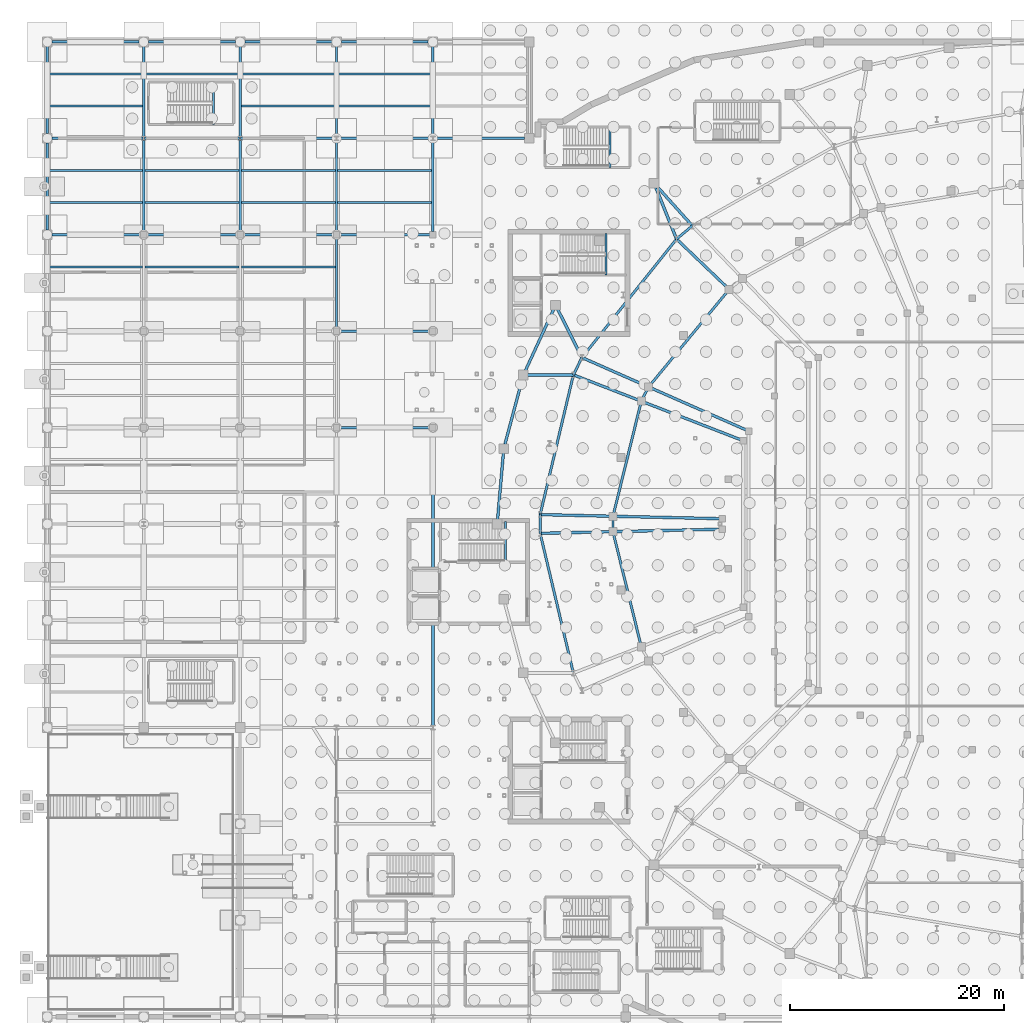
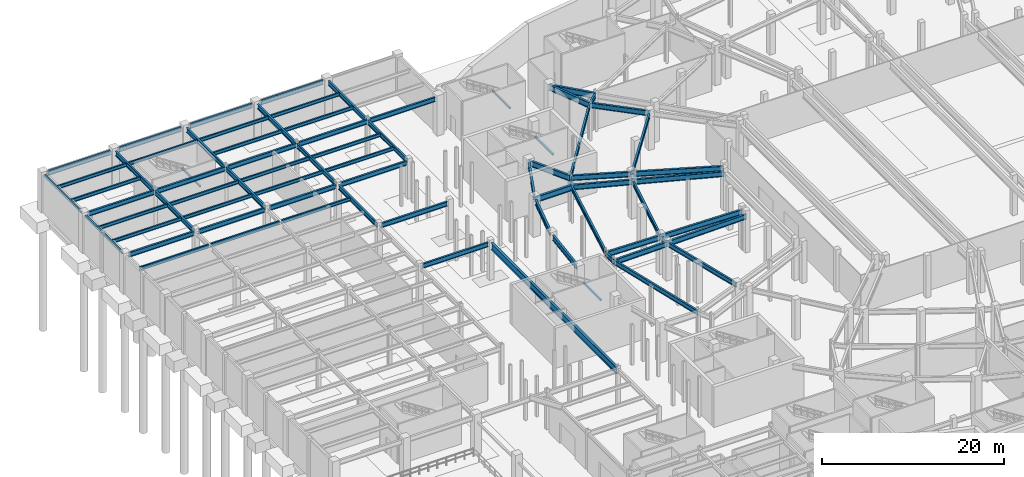
# One storey, part 35 of 56: 76 beams.
"""IFC4 building model written with IfcOpenShell, lengths in metres."""

from ifc_helpers import new_model, si_unit, direction, frame, origin, origin_2d, place, context, subcontext, project, spatial, hollow_rectangle, i_section, extrude, material, material_profile, profile_set, type_object, element, save


model = new_model("IFC4")

# Units and contexts
model_context = context("Model", 3, precision=1e-05, world=origin(), true_north=direction((0.0, 1.0)))
body_context = subcontext(model_context, "Body", "Model", "MODEL_VIEW")
ifc_project = project(units=[si_unit("LENGTHUNIT", "METRE"), si_unit("AREAUNIT", "SQUARE_METRE"), si_unit("VOLUMEUNIT", "CUBIC_METRE"), si_unit("PLANEANGLEUNIT", "RADIAN"), si_unit("MASSUNIT", "GRAM", prefix="KILO")], contexts=[model_context])

# Site, building, storey
site_placement = place(None, origin())
site = spatial("IfcSite", under=ifc_project, at=site_placement, CompositionType="ELEMENT")
building_placement = place(site_placement, origin())
building = spatial("IfcBuilding", under=site, at=building_placement, Name="Glasvene Arena", CompositionType="ELEMENT")
storey_placement = place(building_placement, frame((0.0, 0.0, -5.39990234375)))
storey = spatial("IfcBuildingStorey", under=building, at=storey_placement, Name="B1", CompositionType="ELEMENT", Elevation=-5.39990234375)

# Beams
ifc_material = material(Name="Steel S355J2", Category="steel")
ifc_material_profile_1 = material_profile(ifc_material, i_section(OverallWidth=0.228271484375, OverallDepth=0.607666015625, WebThickness=0.010986328125, FlangeThickness=0.017333984375, FilletRadius=0.0126953125, at=origin_2d()), Name="UKB 610x229x113")
ifc_profile_set_1 = profile_set([ifc_material_profile_1], Name="Steel S355J2")
beam_type_1 = type_object("IfcBeamType", Name="BM-GIRD-610", PredefinedType="BEAM", material=ifc_profile_set_1)
for number, where, z_axis, x_axis, name in (
    (1, (27.294921875, 82.0, 4.736083984375), (1.0, 0.0, 0.0), (0.0, 1.0, 0.0), "Primary X girder B1-0053"),
    (2, (27.294921875, 91.0, 4.736083984375), (1.0, 0.0, 0.0), (0.0, 1.0, 0.0), "Primary X girder B1-0059"),
):
    element("IfcBeam", number, at=place(storey_placement, frame(where, z_axis=z_axis, x_axis=x_axis)), inside=storey, type_object=beam_type_1, Name=name, PredefinedType="BEAM", context=body_context, shape_type="SweptSolid", body=[
        extrude(i_section(OverallWidth=0.228271484375, OverallDepth=0.607666015625, WebThickness=0.010986328125, FlangeThickness=0.017333984375, FilletRadius=0.0126953125, at=origin_2d()), origin(), (0.0, 0.0, 1.0), 8.41015625),
    ])
beam_1_placement = place(storey_placement, frame((0.445068359375, 100.0, 4.736083984375), z_axis=(1.0, 0.0, 0.0), x_axis=(0.0, 1.0, 0.0)))
element("IfcBeam", 3, at=beam_1_placement, inside=storey, type_object=beam_type_1, Name="Primary X girder B1-0062", PredefinedType="BEAM", context=body_context, shape_type="SweptSolid", body=[
    extrude(i_section(OverallWidth=0.228271484375, OverallDepth=0.607666015625, WebThickness=0.010986328125, FlangeThickness=0.017333984375, FilletRadius=0.0126953125, at=origin_2d()), origin(), (0.0, 0.0, 1.0), 8.260009765625),
])
for number, where, z_axis, x_axis, name in (
    (4, (9.294921875, 100.0, 4.736083984375), (1.0, 0.0, 0.0), (0.0, 1.0, 0.0), "Primary X girder B1-0063"),
    (5, (18.294921875, 100.0, 4.736083984375), (1.0, 0.0, 0.0), (0.0, 1.0, 0.0), "Primary X girder B1-0064"),
    (6, (27.294921875, 100.0, 4.736083984375), (1.0, 0.0, 0.0), (0.0, 1.0, 0.0), "Primary X girder B1-0065"),
):
    element("IfcBeam", number, at=place(storey_placement, frame(where, z_axis=z_axis, x_axis=x_axis)), inside=storey, type_object=beam_type_1, Name=name, PredefinedType="BEAM", context=body_context, shape_type="SweptSolid", body=[
        extrude(i_section(OverallWidth=0.228271484375, OverallDepth=0.607666015625, WebThickness=0.010986328125, FlangeThickness=0.017333984375, FilletRadius=0.0126953125, at=origin_2d()), origin(), (0.0, 0.0, 1.0), 8.41015625),
    ])
beam_2_placement = place(storey_placement, frame((0.445068359375, 109.0, 4.736083984375), z_axis=(1.0, 0.0, 0.0), x_axis=(0.0, 1.0, 0.0)))
element("IfcBeam", 7, at=beam_2_placement, inside=storey, type_object=beam_type_1, Name="Primary X girder B1-0068", PredefinedType="BEAM", context=body_context, shape_type="SweptSolid", body=[
    extrude(i_section(OverallWidth=0.228271484375, OverallDepth=0.607666015625, WebThickness=0.010986328125, FlangeThickness=0.017333984375, FilletRadius=0.0126953125, at=origin_2d()), origin(), (0.0, 0.0, 1.0), 8.5048828125),
])
for number, where, z_axis, x_axis, name in (
    (8, (9.050048828125, 109.0, 4.736083984375), (1.0, 0.0, 0.0), (0.0, 1.0, 0.0), "Primary X girder B1-0069"),
    (9, (18.050048828125, 109.0, 4.736083984375), (1.0, 0.0, 0.0), (0.0, 1.0, 0.0), "Primary X girder B1-0070"),
    (10, (27.050048828125, 109.0, 4.736083984375), (1.0, 0.0, 0.0), (0.0, 1.0, 0.0), "Primary X girder B1-0071"),
):
    element("IfcBeam", number, at=place(storey_placement, frame(where, z_axis=z_axis, x_axis=x_axis)), inside=storey, type_object=beam_type_1, Name=name, PredefinedType="BEAM", context=body_context, shape_type="SweptSolid", body=[
        extrude(i_section(OverallWidth=0.228271484375, OverallDepth=0.607666015625, WebThickness=0.010986328125, FlangeThickness=0.017333984375, FilletRadius=0.0126953125, at=origin_2d()), origin(), (0.0, 0.0, 1.0), 8.89990234375),
    ])
beam_3_placement = place(storey_placement, frame((36.050048828125, 109.0, 4.736083984375), z_axis=(1.0, 0.0, 0.0), x_axis=(0.0, 1.0, 0.0)))
element("IfcBeam", 11, at=beam_3_placement, inside=storey, type_object=beam_type_1, Name="Primary X girder B1-0072", PredefinedType="BEAM", context=body_context, shape_type="SweptSolid", body=[
    extrude(i_section(OverallWidth=0.228271484375, OverallDepth=0.607666015625, WebThickness=0.010986328125, FlangeThickness=0.017333984375, FilletRadius=0.0126953125, at=origin_2d()), origin(), (0.0, 0.0, 1.0), 8.5048828125),
])
for number, where, z_axis, x_axis, name in (
    (12, (0.445068359375, 118.0, 4.736083984375), (1.0, 0.0, 0.0), (0.0, 1.0, 0.0), "Primary X girder B1-0076"),
    (13, (9.445068359375, 118.0, 4.736083984375), (1.0, 0.0, 0.0), (0.0, 1.0, 0.0), "Primary X girder B1-0077"),
    (14, (18.445068359375, 118.0, 4.736083984375), (1.0, 0.0, 0.0), (0.0, 1.0, 0.0), "Primary X girder B1-0078"),
    (15, (27.445068359375, 118.0, 4.736083984375), (1.0, 0.0, 0.0), (0.0, 1.0, 0.0), "Primary X girder B1-0079"),
):
    element("IfcBeam", number, at=place(storey_placement, frame(where, z_axis=z_axis, x_axis=x_axis)), inside=storey, type_object=beam_type_1, Name=name, PredefinedType="BEAM", context=body_context, shape_type="SweptSolid", body=[
        extrude(i_section(OverallWidth=0.228271484375, OverallDepth=0.607666015625, WebThickness=0.010986328125, FlangeThickness=0.017333984375, FilletRadius=0.0126953125, at=origin_2d()), origin(), (0.0, 0.0, 1.0), 8.10986328125),
    ])
beam_4_placement = place(storey_placement, frame((9.0, 100.294921875, 4.736083984375), z_axis=(0.0, 1.0, 0.0), x_axis=(-1.0, 0.0, 0.0)))
element("IfcBeam", 16, at=beam_4_placement, inside=storey, type_object=beam_type_1, Name="Primary Y girder B1-0103", PredefinedType="BEAM", context=body_context, shape_type="SweptSolid", body=[
    extrude(i_section(OverallWidth=0.228271484375, OverallDepth=0.607666015625, WebThickness=0.010986328125, FlangeThickness=0.017333984375, FilletRadius=0.0126953125, at=origin_2d()), origin(), (0.0, 0.0, 1.0), 8.51953125),
])
beam_5_placement = place(storey_placement, frame((9.0, 109.185546875, 4.736083984375), z_axis=(0.0, 1.0, 0.0), x_axis=(-1.0, 0.0, 0.0)))
element("IfcBeam", 17, at=beam_5_placement, inside=storey, type_object=beam_type_1, Name="Primary Y girder B1-0104", PredefinedType="BEAM", context=body_context, shape_type="SweptSolid", body=[
    extrude(i_section(OverallWidth=0.228271484375, OverallDepth=0.607666015625, WebThickness=0.010986328125, FlangeThickness=0.017333984375, FilletRadius=0.0126953125, at=origin_2d()), origin(), (0.0, 0.0, 1.0), 8.369384765625),
])
beam_6_placement = place(storey_placement, frame((18.0, 100.294921875, 4.736083984375), z_axis=(0.0, 1.0, 0.0), x_axis=(-1.0, 0.0, 0.0)))
element("IfcBeam", 18, at=beam_6_placement, inside=storey, type_object=beam_type_1, Name="Primary Y girder B1-0113", PredefinedType="BEAM", context=body_context, shape_type="SweptSolid", body=[
    extrude(i_section(OverallWidth=0.228271484375, OverallDepth=0.607666015625, WebThickness=0.010986328125, FlangeThickness=0.017333984375, FilletRadius=0.0126953125, at=origin_2d()), origin(), (0.0, 0.0, 1.0), 8.51953125),
])
beam_7_placement = place(storey_placement, frame((18.0, 109.185546875, 4.736083984375), z_axis=(0.0, 1.0, 0.0), x_axis=(-1.0, 0.0, 0.0)))
element("IfcBeam", 19, at=beam_7_placement, inside=storey, type_object=beam_type_1, Name="Primary Y girder B1-0114", PredefinedType="BEAM", context=body_context, shape_type="SweptSolid", body=[
    extrude(i_section(OverallWidth=0.228271484375, OverallDepth=0.607666015625, WebThickness=0.010986328125, FlangeThickness=0.017333984375, FilletRadius=0.0126953125, at=origin_2d()), origin(), (0.0, 0.0, 1.0), 8.369384765625),
])
beam_8_placement = place(storey_placement, frame((27.0, 91.294921875, 4.736083984375), z_axis=(0.0, 1.0, 0.0), x_axis=(-1.0, 0.0, 0.0)))
element("IfcBeam", 20, at=beam_8_placement, inside=storey, type_object=beam_type_1, Name="Primary Y girder B1-0124", PredefinedType="BEAM", context=body_context, shape_type="SweptSolid", body=[
    extrude(i_section(OverallWidth=0.228271484375, OverallDepth=0.607666015625, WebThickness=0.010986328125, FlangeThickness=0.017333984375, FilletRadius=0.0126953125, at=origin_2d()), origin(), (0.0, 0.0, 1.0), 8.41015625),
])
beam_9_placement = place(storey_placement, frame((27.0, 100.294921875, 4.736083984375), z_axis=(0.0, 1.0, 0.0), x_axis=(-1.0, 0.0, 0.0)))
element("IfcBeam", 21, at=beam_9_placement, inside=storey, type_object=beam_type_1, Name="Primary Y girder B1-0125", PredefinedType="BEAM", context=body_context, shape_type="SweptSolid", body=[
    extrude(i_section(OverallWidth=0.228271484375, OverallDepth=0.607666015625, WebThickness=0.010986328125, FlangeThickness=0.017333984375, FilletRadius=0.0126953125, at=origin_2d()), origin(), (0.0, 0.0, 1.0), 8.51953125),
])
beam_10_placement = place(storey_placement, frame((27.0, 109.185546875, 4.736083984375), z_axis=(0.0, 1.0, 0.0), x_axis=(-1.0, 0.0, 0.0)))
element("IfcBeam", 22, at=beam_10_placement, inside=storey, type_object=beam_type_1, Name="Primary Y girder B1-0126", PredefinedType="BEAM", context=body_context, shape_type="SweptSolid", body=[
    extrude(i_section(OverallWidth=0.228271484375, OverallDepth=0.607666015625, WebThickness=0.010986328125, FlangeThickness=0.017333984375, FilletRadius=0.0126953125, at=origin_2d()), origin(), (0.0, 0.0, 1.0), 8.369384765625),
])
beam_11_placement = place(storey_placement, frame((36.0, 100.294921875, 4.736083984375), z_axis=(0.0, 1.0, 0.0), x_axis=(-1.0, 0.0, 0.0)))
element("IfcBeam", 23, at=beam_11_placement, inside=storey, type_object=beam_type_1, Name="Primary Y girder B1-0133", PredefinedType="BEAM", context=body_context, shape_type="SweptSolid", body=[
    extrude(i_section(OverallWidth=0.228271484375, OverallDepth=0.607666015625, WebThickness=0.010986328125, FlangeThickness=0.017333984375, FilletRadius=0.0126953125, at=origin_2d()), origin(), (0.0, 0.0, 1.0), 8.51953125),
])
beam_12_placement = place(storey_placement, frame((36.0, 109.185546875, 4.736083984375), z_axis=(0.0, 1.0, 0.0), x_axis=(-1.0, 0.0, 0.0)))
element("IfcBeam", 24, at=beam_12_placement, inside=storey, type_object=beam_type_1, Name="Primary Y girder B1-0134", PredefinedType="BEAM", context=body_context, shape_type="SweptSolid", body=[
    extrude(i_section(OverallWidth=0.228271484375, OverallDepth=0.607666015625, WebThickness=0.010986328125, FlangeThickness=0.017333984375, FilletRadius=0.0126953125, at=origin_2d()), origin(), (0.0, 0.0, 1.0), 8.369384765625),
])
beam_13_placement = place(storey_placement, frame((60.219482421875, 100.834228515625, 4.73486328125), z_axis=(-0.766930434436, -0.641730246082, 0.0), x_axis=(0.641730246082, -0.766930434436, 0.0)))
element("IfcBeam", 25, at=beam_13_placement, inside=storey, type_object=beam_type_1, Name="Concourse inner ring girder B1-12", PredefinedType="BEAM", context=body_context, shape_type="SweptSolid", body=[
    extrude(i_section(OverallWidth=0.228271484375, OverallDepth=0.607666015625, WebThickness=0.010986328125, FlangeThickness=0.017333984375, FilletRadius=0.0126953125, at=origin_2d()), origin(), (0.0, 0.0, 1.0), 1.924560546875),
])
beam_14_placement = place(storey_placement, frame((58.743408203125, 99.59912109375, 4.73486328125), z_axis=(-0.623899670594, -0.781504447226, 0.0), x_axis=(0.781504447226, -0.623899670594, 0.0)))
element("IfcBeam", 26, at=beam_14_placement, inside=storey, type_object=beam_type_1, Name="Concourse inner ring girder B1-13", PredefinedType="BEAM", context=body_context, shape_type="SweptSolid", body=[
    extrude(i_section(OverallWidth=0.228271484375, OverallDepth=0.607666015625, WebThickness=0.010986328125, FlangeThickness=0.017333984375, FilletRadius=0.0126953125, at=origin_2d()), origin(), (0.0, 0.0, 1.0), 14.1552734375),
])
beam_15_placement = place(storey_placement, frame((63.65966796875, 94.90087890625, 4.73486328125), z_axis=(-0.636971685607, -0.770887197802, 0.0), x_axis=(0.770887197802, -0.636971685607, 0.0)))
element("IfcBeam", 27, at=beam_15_placement, inside=storey, type_object=beam_type_1, Name="Mid-bowl ring girder B1-13", PredefinedType="BEAM", context=body_context, shape_type="SweptSolid", body=[
    extrude(i_section(OverallWidth=0.228271484375, OverallDepth=0.607666015625, WebThickness=0.010986328125, FlangeThickness=0.017333984375, FilletRadius=0.0126953125, at=origin_2d()), origin(), (0.0, 0.0, 1.0), 11.8154296875),
])
beam_16_placement = place(storey_placement, frame((49.911865234375, 88.53662109375, 4.73486328125), z_axis=(-0.443576698242, -0.896236415672, 0.0), x_axis=(0.896236415672, -0.443576698242, 0.0)))
element("IfcBeam", 28, at=beam_16_placement, inside=storey, type_object=beam_type_1, Name="Concourse inner ring girder B1-14", PredefinedType="BEAM", context=body_context, shape_type="SweptSolid", body=[
    extrude(i_section(OverallWidth=0.228271484375, OverallDepth=0.607666015625, WebThickness=0.010986328125, FlangeThickness=0.017333984375, FilletRadius=0.0126953125, at=origin_2d()), origin(), (0.0, 0.0, 1.0), 1.80078125),
])
beam_17_placement = place(storey_placement, frame((56.133544921875, 85.79248046875, 4.73486328125), z_axis=(-0.455825325707, -0.890069251488, 0.0), x_axis=(0.890069251488, -0.455825325707, 0.0)))
element("IfcBeam", 29, at=beam_17_placement, inside=storey, type_object=beam_type_1, Name="Mid-bowl ring girder B1-14", PredefinedType="BEAM", context=body_context, shape_type="SweptSolid", body=[
    extrude(i_section(OverallWidth=0.228271484375, OverallDepth=0.607666015625, WebThickness=0.010986328125, FlangeThickness=0.017333984375, FilletRadius=0.0126953125, at=origin_2d()), origin(), (0.0, 0.0, 1.0), 1.4931640625),
])
beam_18_placement = place(storey_placement, frame((49.113037109375, 86.922607421875, 4.73486328125), z_axis=(-0.23122513322, -0.972900271234, 0.0), x_axis=(0.972900271234, -0.23122513322, 0.0)))
element("IfcBeam", 30, at=beam_18_placement, inside=storey, type_object=beam_type_1, Name="Concourse inner ring girder B1-15", PredefinedType="BEAM", context=body_context, shape_type="SweptSolid", body=[
    extrude(i_section(OverallWidth=0.228271484375, OverallDepth=0.607666015625, WebThickness=0.010986328125, FlangeThickness=0.017333984375, FilletRadius=0.0126953125, at=origin_2d()), origin(), (0.0, 0.0, 1.0), 13.41259765625),
])
beam_19_placement = place(storey_placement, frame((55.452880859375, 84.46337890625, 4.73486328125), z_axis=(-0.23885804662, -0.971054495672, 0.0), x_axis=(0.971054495672, -0.23885804662, 0.0)))
element("IfcBeam", 31, at=beam_19_placement, inside=storey, type_object=beam_type_1, Name="Mid-bowl ring girder B1-15", PredefinedType="BEAM", context=body_context, shape_type="SweptSolid", body=[
    extrude(i_section(OverallWidth=0.228271484375, OverallDepth=0.607666015625, WebThickness=0.010986328125, FlangeThickness=0.017333984375, FilletRadius=0.0126953125, at=origin_2d()), origin(), (0.0, 0.0, 1.0), 11.064453125),
])
beam_20_placement = place(storey_placement, frame((46.01171875, 73.87353515625, 4.73486328125), z_axis=(0.0, -1.0, 0.0), x_axis=(1.0, 0.0, 0.0)))
element("IfcBeam", 32, at=beam_20_placement, inside=storey, type_object=beam_type_1, Name="Concourse inner ring girder B1-16", PredefinedType="BEAM", context=body_context, shape_type="SweptSolid", body=[
    extrude(i_section(OverallWidth=0.228271484375, OverallDepth=0.607666015625, WebThickness=0.010986328125, FlangeThickness=0.017333984375, FilletRadius=0.0126953125, at=origin_2d()), origin(), (0.0, 0.0, 1.0), 1.7470703125),
])
beam_21_placement = place(storey_placement, frame((52.81005859375, 73.71923828125, 4.73486328125), z_axis=(0.0, -1.0, 0.0), x_axis=(1.0, 0.0, 0.0)))
element("IfcBeam", 33, at=beam_21_placement, inside=storey, type_object=beam_type_1, Name="Mid-bowl ring girder B1-16", PredefinedType="BEAM", context=body_context, shape_type="SweptSolid", body=[
    extrude(i_section(OverallWidth=0.228271484375, OverallDepth=0.607666015625, WebThickness=0.010986328125, FlangeThickness=0.017333984375, FilletRadius=0.0126953125, at=origin_2d()), origin(), (0.0, 0.0, 1.0), 1.4384765625),
])
beam_22_placement = place(storey_placement, frame((46.01171875, 72.12646484375, 4.73486328125), z_axis=(0.23122513322, -0.972900271234, 0.0), x_axis=(0.972900271234, 0.23122513322, 0.0)))
element("IfcBeam", 34, at=beam_22_placement, inside=storey, type_object=beam_type_1, Name="Concourse inner ring girder B1-17", PredefinedType="BEAM", context=body_context, shape_type="SweptSolid", body=[
    extrude(i_section(OverallWidth=0.228271484375, OverallDepth=0.607666015625, WebThickness=0.010986328125, FlangeThickness=0.017333984375, FilletRadius=0.0126953125, at=origin_2d()), origin(), (0.0, 0.0, 1.0), 13.41259765625),
])
beam_23_placement = place(storey_placement, frame((52.81005859375, 72.28076171875, 4.73486328125), z_axis=(0.23885804662, -0.971054495672, 0.0), x_axis=(0.971054495672, 0.23885804662, 0.0)))
element("IfcBeam", 35, at=beam_23_placement, inside=storey, type_object=beam_type_1, Name="Mid-bowl ring girder B1-17", PredefinedType="BEAM", context=body_context, shape_type="SweptSolid", body=[
    extrude(i_section(OverallWidth=0.228271484375, OverallDepth=0.607666015625, WebThickness=0.010986328125, FlangeThickness=0.017333984375, FilletRadius=0.0126953125, at=origin_2d()), origin(), (0.0, 0.0, 1.0), 11.064453125),
])
ifc_material_profile_2 = material_profile(ifc_material, i_section(OverallWidth=0.253662109375, OverallDepth=0.68359375, WebThickness=0.012451171875, FlangeThickness=0.01904296875, FilletRadius=0.01513671875, at=origin_2d()), Name="UKB 686x254x140")
ifc_profile_set_2 = profile_set([ifc_material_profile_2], Name="Steel S355J2")
beam_type_2 = type_object("IfcBeamType", Name="BM-GIRD-686", PredefinedType="BEAM", material=ifc_profile_set_2)
beam_24_placement = place(storey_placement, frame((47.274169921875, 93.048095703125, 4.6982421875), z_axis=(-0.418091163951, -0.908405074087, 0.0), x_axis=(0.908405074087, -0.418091163951, 0.0)))
element("IfcBeam", 36, at=beam_24_placement, inside=storey, type_object=beam_type_2, Name="Bowl ring chord beam B1-18", PredefinedType="BEAM", context=body_context, shape_type="SweptSolid", body=[
    extrude(i_section(OverallWidth=0.253662109375, OverallDepth=0.68359375, WebThickness=0.012451171875, FlangeThickness=0.01904296875, FilletRadius=0.01513671875, at=origin_2d()), origin(), (0.0, 0.0, 1.0), 6.341552734375),
])
beam_25_placement = place(storey_placement, frame((44.3388671875, 86.5, 4.6982421875), z_axis=(-0.257723273136, -0.966218771544, 0.0), x_axis=(0.966218771544, -0.257723273136, 0.0)))
element("IfcBeam", 37, at=beam_25_placement, inside=storey, type_object=beam_type_2, Name="Bowl ring chord beam B1-19", PredefinedType="BEAM", context=body_context, shape_type="SweptSolid", body=[
    extrude(i_section(OverallWidth=0.253662109375, OverallDepth=0.68359375, WebThickness=0.012451171875, FlangeThickness=0.01904296875, FilletRadius=0.01513671875, at=origin_2d()), origin(), (0.0, 0.0, 1.0), 6.266357421875),
])
beam_26_placement = place(storey_placement, frame((42.5791015625, 79.62109375, 4.6982421875), z_axis=(-0.087127064211, -0.996197206723, 0.0), x_axis=(0.996197206723, -0.087127064211, 0.0)))
element("IfcBeam", 38, at=beam_26_placement, inside=storey, type_object=beam_type_2, Name="Bowl ring chord beam B1-20", PredefinedType="BEAM", context=body_context, shape_type="SweptSolid", body=[
    extrude(i_section(OverallWidth=0.253662109375, OverallDepth=0.68359375, WebThickness=0.012451171875, FlangeThickness=0.01904296875, FilletRadius=0.01513671875, at=origin_2d()), origin(), (0.0, 0.0, 1.0), 6.226318359375),
])
beam_27_placement = place(storey_placement, frame((63.65966796875, 94.90087890625, 4.697998046875), z_axis=(-0.722955223934, 0.690894886496, 0.0), x_axis=(-0.690894886496, -0.722955223934, 0.0)))
element("IfcBeam", 39, at=beam_27_placement, inside=storey, type_object=beam_type_2, Name="Mid-to-rear radial girder B1-13", PredefinedType="BEAM", context=body_context, shape_type="SweptSolid", body=[
    extrude(i_section(OverallWidth=0.253662109375, OverallDepth=0.68359375, WebThickness=0.012451171875, FlangeThickness=0.01904296875, FilletRadius=0.01513671875, at=origin_2d()), origin(), (0.0, 0.0, 1.0), 6.80029296875),
])
for number, where, z_axis, x_axis, name in (
    (40, (56.133544921875, 85.79248046875, 4.697998046875), (-0.914956794247, 0.40355181162, 0.0), (-0.40355181162, -0.914956794247, 0.0), "Mid-to-rear radial girder B1-14"),
    (41, (55.452880859375, 84.46337890625, 4.697998046875), (-0.932315610983, 0.361645685052, 0.0), (-0.361645685052, -0.932315610983, 0.0), "Mid-to-rear radial girder B1-15"),
    (42, (52.81005859375, 73.71923828125, 4.697998046875), (-0.9997425394, 0.022690414598, 0.0), (-0.022690414598, -0.9997425394, 0.0), "Mid-to-rear radial girder B1-16"),
    (43, (52.81005859375, 72.28076171875, 4.697998046875), (-0.9997425394, -0.022690414598, 0.0), (0.022690414598, -0.9997425394, 0.0), "Mid-to-rear radial girder B1-17"),
):
    element("IfcBeam", number, at=place(storey_placement, frame(where, z_axis=z_axis, x_axis=x_axis)), inside=storey, type_object=beam_type_2, Name=name, PredefinedType="BEAM", context=body_context, shape_type="SweptSolid", body=[
        extrude(i_section(OverallWidth=0.253662109375, OverallDepth=0.68359375, WebThickness=0.012451171875, FlangeThickness=0.01904296875, FilletRadius=0.01513671875, at=origin_2d()), origin(), (0.0, 0.0, 1.0), 6.800048828125),
    ])
beam_28_placement = place(storey_placement, frame((65.46630859375, 81.67626953125, 4.697998046875), z_axis=(-0.914960692105, 0.403542974047, 0.0), x_axis=(-0.403542974047, -0.914960692105, 0.0)))
element("IfcBeam", 44, at=beam_28_placement, inside=storey, type_object=beam_type_2, Name="Pitch-to-mid basement girder 14", PredefinedType="BEAM", context=body_context, shape_type="SweptSolid", body=[
    extrude(i_section(OverallWidth=0.253662109375, OverallDepth=0.68359375, WebThickness=0.012451171875, FlangeThickness=0.01904296875, FilletRadius=0.01513671875, at=origin_2d()), origin(), (0.0, 0.0, 1.0), 10.2001953125),
])
beam_29_placement = place(storey_placement, frame((64.962646484375, 80.77490234375, 4.697998046875), z_axis=(-0.932327715783, 0.361614477563, 0.0), x_axis=(-0.361614477563, -0.932327715783, 0.0)))
element("IfcBeam", 45, at=beam_29_placement, inside=storey, type_object=beam_type_2, Name="Pitch-to-mid basement girder 15", PredefinedType="BEAM", context=body_context, shape_type="SweptSolid", body=[
    extrude(i_section(OverallWidth=0.253662109375, OverallDepth=0.68359375, WebThickness=0.012451171875, FlangeThickness=0.01904296875, FilletRadius=0.01513671875, at=origin_2d()), origin(), (0.0, 0.0, 1.0), 10.199951171875),
])
for number, where, z_axis, x_axis, name in (
    (46, (63.007568359375, 73.48779296875, 4.697998046875), (-0.9997425394, 0.022690414598, 0.0), (-0.022690414598, -0.9997425394, 0.0), "Pitch-to-mid basement girder 16"),
    (47, (63.007568359375, 72.51220703125, 4.697998046875), (-0.9997425394, -0.022690414598, 0.0), (0.022690414598, -0.9997425394, 0.0), "Pitch-to-mid basement girder 17"),
):
    element("IfcBeam", number, at=place(storey_placement, frame(where, z_axis=z_axis, x_axis=x_axis)), inside=storey, type_object=beam_type_2, Name=name, PredefinedType="BEAM", context=body_context, shape_type="SweptSolid", body=[
        extrude(i_section(OverallWidth=0.253662109375, OverallDepth=0.68359375, WebThickness=0.012451171875, FlangeThickness=0.01904296875, FilletRadius=0.01513671875, at=origin_2d()), origin(), (0.0, 0.0, 1.0), 10.2001953125),
    ])
ifc_material_profile_3 = material_profile(ifc_material, i_section(OverallWidth=0.2666015625, OverallDepth=0.76220703125, WebThickness=0.014404296875, FlangeThickness=0.021484375, FilletRadius=0.0166015625, at=origin_2d()), Name="UKB 762x267x173")
ifc_profile_set_3 = profile_set([ifc_material_profile_3], Name="Steel S355J2")
beam_type_3 = type_object("IfcBeamType", Name="BM-GIRD-762", PredefinedType="BEAM", material=ifc_profile_set_3)
beam_30_placement = place(storey_placement, frame((60.219482421875, 100.834228515625, 4.65869140625), z_axis=(-0.667691455448, 0.744438123904, 0.0), x_axis=(-0.744438123904, -0.667691455448, 0.0)))
element("IfcBeam", 48, at=beam_30_placement, inside=storey, type_object=beam_type_3, Name="Radial concourse girder B1-12", PredefinedType="BEAM", context=body_context, shape_type="SweptSolid", body=[
    extrude(i_section(OverallWidth=0.2666015625, OverallDepth=0.76220703125, WebThickness=0.014404296875, FlangeThickness=0.021484375, FilletRadius=0.0166015625, at=origin_2d()), origin(), (0.0, 0.0, 1.0), 5.353759765625),
])
beam_31_placement = place(storey_placement, frame((58.743408203125, 99.59912109375, 4.65869140625), z_axis=(-0.372976095384, 0.927840952034, 0.0), x_axis=(-0.927840952034, -0.372976095384, 0.0)))
element("IfcBeam", 49, at=beam_31_placement, inside=storey, type_object=beam_type_3, Name="Radial concourse girder B1-13", PredefinedType="BEAM", context=body_context, shape_type="SweptSolid", body=[
    extrude(i_section(OverallWidth=0.2666015625, OverallDepth=0.76220703125, WebThickness=0.014404296875, FlangeThickness=0.021484375, FilletRadius=0.0166015625, at=origin_2d()), origin(), (0.0, 0.0, 1.0), 5.626708984375),
])
beam_32_placement = place(storey_placement, frame((49.911865234375, 88.53662109375, 4.65869140625), z_axis=(-0.449494152887, 0.893283273391, 0.0), x_axis=(-0.893283273391, -0.449494152887, 0.0)))
element("IfcBeam", 50, at=beam_32_placement, inside=storey, type_object=beam_type_3, Name="Radial concourse girder B1-14", PredefinedType="BEAM", context=body_context, shape_type="SweptSolid", body=[
    extrude(i_section(OverallWidth=0.2666015625, OverallDepth=0.76220703125, WebThickness=0.014404296875, FlangeThickness=0.021484375, FilletRadius=0.0166015625, at=origin_2d()), origin(), (0.0, 0.0, 1.0), 5.4775390625),
])
beam_33_placement = place(storey_placement, frame((49.113037109375, 86.922607421875, 4.65869140625), z_axis=(-0.999993482259, -0.003610462575, 0.0), x_axis=(0.003610462575, -0.999993482259, 0.0)))
element("IfcBeam", 51, at=beam_33_placement, inside=storey, type_object=beam_type_3, Name="Radial concourse girder B1-15", PredefinedType="BEAM", context=body_context, shape_type="SweptSolid", body=[
    extrude(i_section(OverallWidth=0.2666015625, OverallDepth=0.76220703125, WebThickness=0.014404296875, FlangeThickness=0.021484375, FilletRadius=0.0166015625, at=origin_2d()), origin(), (0.0, 0.0, 1.0), 4.665771484375),
])
ifc_material_profile_4 = material_profile(ifc_material, i_section(OverallWidth=0.30419921875, OverallDepth=0.910400390625, WebThickness=0.015869140625, FlangeThickness=0.02392578125, FilletRadius=0.01904296875, at=origin_2d()), Name="UKB 914x305x224")
ifc_profile_set_4 = profile_set([ifc_material_profile_4], Name="Steel S355J2")
beam_type_4 = type_object("IfcBeamType", Name="BM-GIRD-914", PredefinedType="BEAM", material=ifc_profile_set_4)
beam_34_placement = place(storey_placement, frame((36.0, 54.185546875, 4.584716796875), z_axis=(0.0, 1.0, 0.0), x_axis=(-1.0, 0.0, 0.0)))
element("IfcBeam", 52, at=beam_34_placement, inside=storey, type_object=beam_type_4, Name="Primary Y girder B1-0132", PredefinedType="BEAM", context=body_context, shape_type="SweptSolid", body=[
    extrude(i_section(OverallWidth=0.30419921875, OverallDepth=0.910400390625, WebThickness=0.015869140625, FlangeThickness=0.02392578125, FilletRadius=0.01904296875, at=origin_2d()), origin(), (0.0, 0.0, 1.0), 27.51953125),
])
ifc_material_profile_5 = material_profile(ifc_material, i_section(OverallWidth=0.1904296875, OverallDepth=0.45703125, WebThickness=0.009033203125, FlangeThickness=0.014404296875, FilletRadius=0.01025390625, at=origin_2d()), Name="UKB 457x191x74")
ifc_profile_set_5 = profile_set([ifc_material_profile_5], Name="Steel S355J2")
beam_type_5 = type_object("IfcBeamType", Name="BM-JOIST-457", PredefinedType="JOIST", material=ifc_profile_set_5)
for number, where, z_axis, x_axis, name in (
    (53, (0.095947265625, 97.0, 4.8115234375), (1.0, 0.0, 0.0), (0.0, 1.0, 0.0), "Composite floor joist B1-0185"),
    (54, (0.095947265625, 103.0, 4.8115234375), (1.0, 0.0, 0.0), (0.0, 1.0, 0.0), "Composite floor joist B1-0186"),
    (55, (0.095947265625, 106.0, 4.8115234375), (1.0, 0.0, 0.0), (0.0, 1.0, 0.0), "Composite floor joist B1-0187"),
    (56, (0.095947265625, 112.0, 4.8115234375), (1.0, 0.0, 0.0), (0.0, 1.0, 0.0), "Composite floor joist B1-0188"),
    (57, (0.095947265625, 115.0, 4.8115234375), (1.0, 0.0, 0.0), (0.0, 1.0, 0.0), "Composite floor joist B1-0189"),
):
    element("IfcBeam", number, at=place(storey_placement, frame(where, z_axis=z_axis, x_axis=x_axis)), inside=storey, type_object=beam_type_5, Name=name, PredefinedType="JOIST", context=body_context, shape_type="SweptSolid", body=[
        extrude(i_section(OverallWidth=0.1904296875, OverallDepth=0.45703125, WebThickness=0.009033203125, FlangeThickness=0.014404296875, FilletRadius=0.01025390625, at=origin_2d()), origin(), (0.0, 0.0, 1.0), 8.7939453125),
    ])
for number, where, z_axis, x_axis, name in (
    (58, (9.110107421875, 97.0, 4.8115234375), (1.0, 0.0, 0.0), (0.0, 1.0, 0.0), "Composite floor joist B1-0202"),
    (59, (9.110107421875, 103.0, 4.8115234375), (1.0, 0.0, 0.0), (0.0, 1.0, 0.0), "Composite floor joist B1-0203"),
    (60, (9.110107421875, 106.0, 4.8115234375), (1.0, 0.0, 0.0), (0.0, 1.0, 0.0), "Composite floor joist B1-0204"),
    (61, (9.110107421875, 115.0, 4.8115234375), (1.0, 0.0, 0.0), (0.0, 1.0, 0.0), "Composite floor joist B1-0205"),
    (62, (18.110107421875, 97.0, 4.8115234375), (1.0, 0.0, 0.0), (0.0, 1.0, 0.0), "Composite floor joist B1-0219"),
    (63, (18.110107421875, 103.0, 4.8115234375), (1.0, 0.0, 0.0), (0.0, 1.0, 0.0), "Composite floor joist B1-0220"),
    (64, (18.110107421875, 106.0, 4.8115234375), (1.0, 0.0, 0.0), (0.0, 1.0, 0.0), "Composite floor joist B1-0221"),
    (65, (18.110107421875, 112.0, 4.8115234375), (1.0, 0.0, 0.0), (0.0, 1.0, 0.0), "Composite floor joist B1-0222"),
    (66, (18.110107421875, 115.0, 4.8115234375), (1.0, 0.0, 0.0), (0.0, 1.0, 0.0), "Composite floor joist B1-0223"),
    (67, (27.110107421875, 103.0, 4.8115234375), (1.0, 0.0, 0.0), (0.0, 1.0, 0.0), "Composite floor joist B1-0232"),
    (68, (27.110107421875, 106.0, 4.8115234375), (1.0, 0.0, 0.0), (0.0, 1.0, 0.0), "Composite floor joist B1-0233"),
    (69, (27.110107421875, 112.0, 4.8115234375), (1.0, 0.0, 0.0), (0.0, 1.0, 0.0), "Composite floor joist B1-0234"),
    (70, (27.110107421875, 115.0, 4.8115234375), (1.0, 0.0, 0.0), (0.0, 1.0, 0.0), "Composite floor joist B1-0235"),
):
    element("IfcBeam", number, at=place(storey_placement, frame(where, z_axis=z_axis, x_axis=x_axis)), inside=storey, type_object=beam_type_5, Name=name, PredefinedType="JOIST", context=body_context, shape_type="SweptSolid", body=[
        extrude(i_section(OverallWidth=0.1904296875, OverallDepth=0.45703125, WebThickness=0.009033203125, FlangeThickness=0.014404296875, FilletRadius=0.01025390625, at=origin_2d()), origin(), (0.0, 0.0, 1.0), 8.77978515625),
    ])
ifc_material_profile_6 = material_profile(ifc_material, hollow_rectangle(XDim=0.199951171875, YDim=0.199951171875, WallThickness=0.010009765625, at=origin_2d()), Name="SHS 200x200x10.0")
ifc_profile_set_6 = profile_set([ifc_material_profile_6], Name="Steel S355J2")
beam_type_6 = type_object("IfcBeamType", Name="BM-LINTEL-200", PredefinedType="LINTEL", material=ifc_profile_set_6)
beam_35_placement = place(storey_placement, frame((52.169921875, 96.22998046875, 2.3798828125), z_axis=(0.0, 1.0, 0.0), x_axis=(-1.0, 0.0, 0.0)))
element("IfcBeam", 71, at=beam_35_placement, inside=storey, type_object=beam_type_6, Name="Stair half-landing support beam ST-01-B1", PredefinedType="LINTEL", context=body_context, shape_type="SweptSolid", body=[
    extrude(hollow_rectangle(XDim=0.199951171875, YDim=0.199951171875, WallThickness=0.010009765625, at=origin_2d()), origin(), (0.0, 0.0, 1.0), 3.89013671875),
])
for number, where, z_axis, x_axis, name in (
    (72, (42.77001953125, 69.429931640625, 2.3798828125), (0.0, 1.0, 0.0), (-1.0, 0.0, 0.0), "Stair half-landing support beam ST-07-B1"),
    (73, (52.52001953125, 106.280029296875, 2.3798828125), (0.0, 1.0, 0.0), (-1.0, 0.0, 0.0), "Stair half-landing support beam ST-12-B1"),
):
    element("IfcBeam", number, at=place(storey_placement, frame(where, z_axis=z_axis, x_axis=x_axis)), inside=storey, type_object=beam_type_6, Name=name, PredefinedType="LINTEL", context=body_context, shape_type="SweptSolid", body=[
        extrude(hollow_rectangle(XDim=0.199951171875, YDim=0.199951171875, WallThickness=0.010009765625, at=origin_2d()), origin(), (0.0, 0.0, 1.0), 3.7900390625),
    ])
beam_36_placement = place(storey_placement, frame((15.52001953125, 110.280029296875, 2.3798828125), z_axis=(0.0, 1.0, 0.0), x_axis=(-1.0, 0.0, 0.0)))
element("IfcBeam", 74, at=beam_36_placement, inside=storey, type_object=beam_type_6, Name="Stair half-landing support beam ST-14-B1", PredefinedType="LINTEL", context=body_context, shape_type="SweptSolid", body=[
    extrude(hollow_rectangle(XDim=0.199951171875, YDim=0.199951171875, WallThickness=0.010009765625, at=origin_2d()), origin(), (0.0, 0.0, 1.0), 3.989990234375),
])
ifc_material_profile_7 = material_profile(ifc_material, hollow_rectangle(XDim=0.199951171875, YDim=0.300048828125, WallThickness=0.012451171875, at=origin_2d()), Name="RHS 300x200x12.5")
ifc_profile_set_7 = profile_set([ifc_material_profile_7], Name="Steel S355J2")
beam_type_7 = type_object("IfcBeamType", Name="BM-SPAND-300", PredefinedType="SPANDREL", material=ifc_profile_set_7)
for number, where, z_axis, x_axis, name in (
    (75, (0.0, 100.445068359375, 4.889892578125), (0.0, 1.0, 0.0), (-1.0, 0.0, 0.0), "Primary Y girder B1-0093"),
    (76, (0.0, 109.445068359375, 4.889892578125), (0.0, 1.0, 0.0), (-1.0, 0.0, 0.0), "Primary Y girder B1-0094"),
):
    element("IfcBeam", number, at=place(storey_placement, frame(where, z_axis=z_axis, x_axis=x_axis)), inside=storey, type_object=beam_type_7, Name=name, PredefinedType="SPANDREL", context=body_context, shape_type="SweptSolid", body=[
        extrude(hollow_rectangle(XDim=0.199951171875, YDim=0.300048828125, WallThickness=0.012451171875, at=origin_2d()), origin(), (0.0, 0.0, 1.0), 8.10986328125),
    ])

save(model, "model.ifc")
